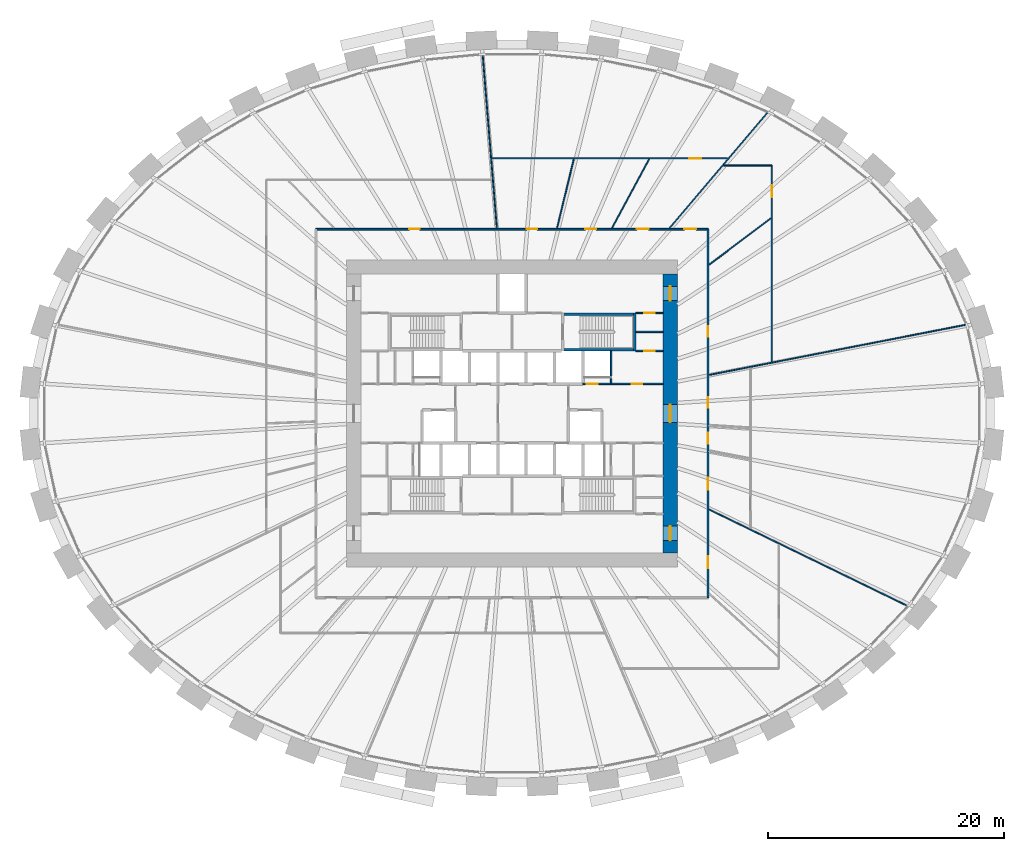
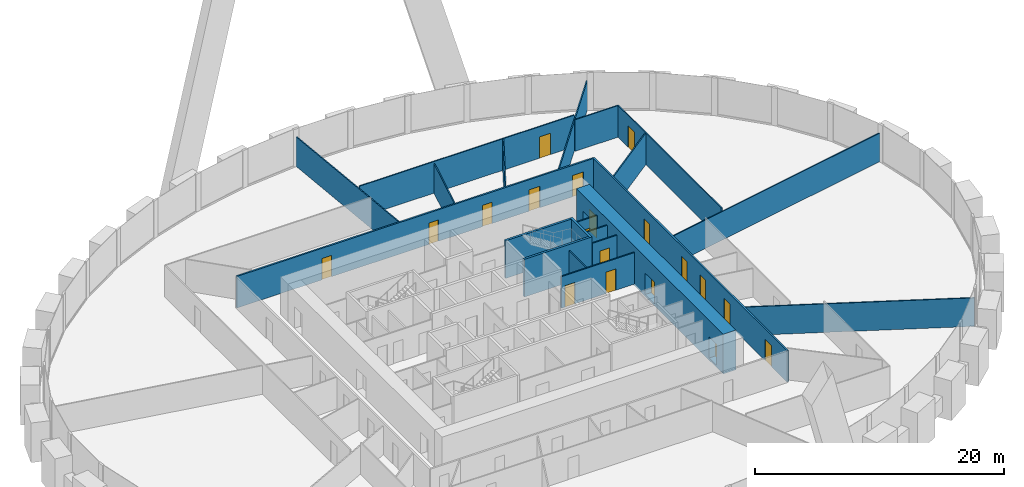
# One storey, part 9 of 11: 21 walls, 19 doors, 19 openings.
"""IFC4 building model written with IfcOpenShell, lengths in metres."""

from ifc_helpers import new_model, si_unit, direction, frame, frame_2d, origin, place, context, subcontext, project, spatial, rectangle, extrude, source, transform, mapped, material, layer, layer_set, type_object, element, fill, save


model = new_model("IFC4")

# Units and contexts
model_context = context("Model", 3, precision=1e-05, world=origin(), true_north=direction((0.0, 1.0)))
body_context = subcontext(model_context, "Body", "Model", "MODEL_VIEW")
ifc_project = project(units=[si_unit("LENGTHUNIT", "METRE"), si_unit("AREAUNIT", "SQUARE_METRE"), si_unit("VOLUMEUNIT", "CUBIC_METRE"), si_unit("PLANEANGLEUNIT", "RADIAN"), si_unit("MASSUNIT", "GRAM", prefix="KILO")], contexts=[model_context])

# Site, building, storey
site_placement = place(None, origin())
site = spatial("IfcSite", under=ifc_project, at=site_placement, CompositionType="ELEMENT")
building_placement = place(site_placement, origin())
building = spatial("IfcBuilding", under=site, at=building_placement, Name="Embergate Tower", CompositionType="ELEMENT")
storey_placement = place(building_placement, frame((0.0, 0.0, 73.699951171875)))
storey = spatial("IfcBuildingStorey", under=building, at=storey_placement, Name="L14", CompositionType="ELEMENT", Elevation=73.699951171875)

# Wall, openings, doors
ifc_material_1 = material(Name="Concrete C80", Category="concrete")
ifc_layer_1 = layer(ifc_material_1, 1.199951171875)
ifc_layer_set_1 = layer_set([ifc_layer_1], Name="Concrete C80")
wall_type_1 = type_object("IfcWallType", Name="Core outer wall C80 1200", PredefinedType="SHEAR", material=ifc_layer_set_1)
shared_shape_1 = source(origin(), body_context, "Body", "SweptSolid", [
    extrude(rectangle(XDim=23.60009765625, YDim=1.199951171875, at=frame_2d((11.800048828125, 0.0))), origin(), (0.0, 0.0, 1.0), 3.89990234375),
])
wall_1_placement = place(storey_placement, frame((13.39990234375, -11.800048828125, -0.199951171875), z_axis=(0.0, 0.0, 1.0), x_axis=(0.0, 1.0, 0.0)))
wall_1 = element("IfcWall", 1, at=wall_1_placement, inside=storey, type_object=wall_type_1, Name="CW-L14-E", PredefinedType="SHEAR", context=body_context, shape_type="MappedRepresentation", body=[
    mapped(shared_shape_1, transform((0.0, 0.0, 0.0))),
])
shared_shape_2 = source(origin(), body_context, "Body", "SweptSolid", [
    extrude(rectangle(XDim=1.199951171875, YDim=2.10009765625, at=frame_2d((0.60009765625, 1.050048828125))), frame((0.0, 0.60986328125, 0.0), z_axis=(0.0, -1.0, 0.0), x_axis=(1.0, 0.0, 0.0)), (0.0, 0.0, 1.0), 1.219970703125),
])
opening_1_placement = place(wall_1_placement, frame((21.35009765625, 0.0, 0.199951171875)))
opening_1 = element("IfcOpeningElement", 2, at=opening_1_placement, cuts=wall_1, Name="Opening IF-1", PredefinedType="OPENING", context=body_context, shape_type="MappedRepresentation", body=[
    mapped(shared_shape_2, transform((0.0, 0.0, 0.0))),
])
opening_2_placement = place(wall_1_placement, frame((1.050048828125, 0.0, 0.199951171875)))
opening_2 = element("IfcOpeningElement", 3, at=opening_2_placement, cuts=wall_1, Name="Opening IF-1", PredefinedType="OPENING", context=body_context, shape_type="MappedRepresentation", body=[
    mapped(shared_shape_2, transform((0.0, 0.0, 0.0))),
])
shared_shape_3 = source(origin(), body_context, "Body", "SweptSolid", [
    extrude(rectangle(XDim=1.5, YDim=2.10009765625, at=frame_2d((0.75, 1.050048828125))), frame((0.0, 0.60986328125, 0.0), z_axis=(0.0, -1.0, 0.0), x_axis=(1.0, 0.0, 0.0)), (0.0, 0.0, 1.0), 1.219970703125),
])
opening_3_placement = place(wall_1_placement, frame((11.050048828125, 0.0, 0.199951171875)))
opening_3 = element("IfcOpeningElement", 4, at=opening_3_placement, cuts=wall_1, Name="Opening IF-3", PredefinedType="OPENING", context=body_context, shape_type="MappedRepresentation", body=[
    mapped(shared_shape_3, transform((0.0, 0.0, 0.0))),
])
ifc_material_2 = material(Name="Escape fire door 1200")
door_type_1 = type_object("IfcDoorType", Name="Escape fire door 1200", OperationType="SINGLE_SWING_LEFT", PredefinedType="DOOR", material=ifc_material_2)
shared_shape_4 = source(origin(), body_context, "Body", "SweptSolid", [
    extrude(rectangle(XDim=1.199951171875, YDim=2.10009765625, at=frame_2d((0.60009765625, 1.050048828125))), frame((0.0, 0.02490234375, 0.0), z_axis=(0.0, -1.0, 0.0), x_axis=(1.0, 0.0, 0.0)), (0.0, 0.0, 1.0), 0.050048828125),
])
door_1_placement = place(opening_1_placement, origin())
door_1 = element("IfcDoor", 5, at=door_1_placement, inside=storey, type_object=door_type_1, Name="IF-1 door", OperationType="SINGLE_SWING_LEFT", OverallHeight=2.10009765625, OverallWidth=1.199951171875, PredefinedType="DOOR", context=body_context, shape_type="MappedRepresentation", body=[
    mapped(shared_shape_4, transform((0.0, 0.0, 0.0))),
])
fill(opening_1, door_1)
door_2_placement = place(opening_2_placement, origin())
door_2 = element("IfcDoor", 6, at=door_2_placement, inside=storey, type_object=door_type_1, Name="IF-1 door", OperationType="SINGLE_SWING_LEFT", OverallHeight=2.10009765625, OverallWidth=1.199951171875, PredefinedType="DOOR", context=body_context, shape_type="MappedRepresentation", body=[
    mapped(shared_shape_4, transform((0.0, 0.0, 0.0))),
])
fill(opening_2, door_2)
ifc_material_3 = material(Name="Lobby fire door pair 1500")
door_type_2 = type_object("IfcDoorType", Name="Lobby fire door pair 1500", OperationType="DOUBLE_DOOR_SINGLE_SWING", PredefinedType="DOOR", material=ifc_material_3)
shared_shape_5 = source(origin(), body_context, "Body", "SweptSolid", [
    extrude(rectangle(XDim=1.5, YDim=2.10009765625, at=frame_2d((0.75, 1.050048828125))), frame((0.0, 0.02490234375, 0.0), z_axis=(0.0, -1.0, 0.0), x_axis=(1.0, 0.0, 0.0)), (0.0, 0.0, 1.0), 0.050048828125),
])
door_3_placement = place(opening_3_placement, origin())
door_3 = element("IfcDoor", 7, at=door_3_placement, inside=storey, type_object=door_type_2, Name="IF-3 door", OperationType="DOUBLE_DOOR_SINGLE_SWING", OverallHeight=2.10009765625, OverallWidth=1.5, PredefinedType="DOOR", context=body_context, shape_type="MappedRepresentation", body=[
    mapped(shared_shape_5, transform((0.0, 0.0, 0.0))),
])
fill(opening_3, door_3)

ifc_material_4 = material(Name="Core partition blockwork 120")
ifc_layer_2 = layer(ifc_material_4, 0.1201171875)
ifc_layer_set_2 = layer_set([ifc_layer_2], Name="Core partition blockwork 120")
wall_type_2 = type_object("IfcWallType", Name="Core partition blockwork 120", PredefinedType="PARTITIONING", material=ifc_layer_set_2)
shared_shape_6 = source(origin(), body_context, "Body", "SweptSolid", [
    extrude(rectangle(XDim=6.800048828125, YDim=0.1201171875, at=frame_2d((3.39990234375, 0.0))), origin(), (0.0, 0.0, 1.0), 3.10009765625),
])
wall_2_placement = place(storey_placement, frame((6.0, 2.5, 0.0), z_axis=(0.0, 0.0, 1.0), x_axis=(1.0, 0.0, 0.0)))
wall_2 = element("IfcWall", 8, at=wall_2_placement, inside=storey, type_object=wall_type_2, Name="IP-3 wall", PredefinedType="PARTITIONING", context=body_context, shape_type="MappedRepresentation", body=[
    mapped(shared_shape_6, transform((0.0, 0.0, 0.0))),
])
shared_shape_7 = source(origin(), body_context, "Body", "SweptSolid", [
    extrude(rectangle(XDim=0.89990234375, YDim=2.10009765625, at=frame_2d((0.449951171875, 1.050048828125))), frame((0.0, 0.070068359375, 0.0), z_axis=(0.0, -1.0, 0.0), x_axis=(1.0, 0.0, 0.0)), (0.0, 0.0, 1.0), 0.14013671875),
])
opening_4_placement = place(wall_2_placement, frame((0.35009765625, 0.0, 0.0)))
opening_4 = element("IfcOpeningElement", 9, at=opening_4_placement, cuts=wall_2, Name="Opening ID-1", PredefinedType="OPENING", context=body_context, shape_type="MappedRepresentation", body=[
    mapped(shared_shape_7, transform((0.0, 0.0, 0.0))),
])
opening_5_placement = place(wall_2_placement, frame((4.14990234375, 0.0, 0.0)))
opening_5 = element("IfcOpeningElement", 10, at=opening_5_placement, cuts=wall_2, Name="Opening ID-1", PredefinedType="OPENING", context=body_context, shape_type="MappedRepresentation", body=[
    mapped(shared_shape_7, transform((0.0, 0.0, 0.0))),
])
ifc_material_5 = material(Name="Interior door 900")
door_type_3 = type_object("IfcDoorType", Name="Interior door 900", OperationType="SINGLE_SWING_LEFT", PredefinedType="DOOR", material=ifc_material_5)
shared_shape_8 = source(origin(), body_context, "Body", "SweptSolid", [
    extrude(rectangle(XDim=0.89990234375, YDim=2.10009765625, at=frame_2d((0.449951171875, 1.050048828125))), frame((0.0, 0.02490234375, 0.0), z_axis=(0.0, -1.0, 0.0), x_axis=(1.0, 0.0, 0.0)), (0.0, 0.0, 1.0), 0.050048828125),
])
door_4_placement = place(opening_4_placement, origin())
door_4 = element("IfcDoor", 11, at=door_4_placement, inside=storey, type_object=door_type_3, Name="ID-1 door", OperationType="SINGLE_SWING_LEFT", OverallHeight=2.10009765625, OverallWidth=0.89990234375, PredefinedType="DOOR", context=body_context, shape_type="MappedRepresentation", body=[
    mapped(shared_shape_8, transform((0.0, 0.0, 0.0))),
])
fill(opening_4, door_4)
door_5_placement = place(opening_5_placement, origin())
door_5 = element("IfcDoor", 12, at=door_5_placement, inside=storey, type_object=door_type_3, Name="ID-1 door", OperationType="SINGLE_SWING_RIGHT", OverallHeight=2.10009765625, OverallWidth=0.89990234375, PredefinedType="DOOR", context=body_context, shape_type="MappedRepresentation", body=[
    mapped(shared_shape_8, transform((0.0, 0.0, 0.0))),
])
fill(opening_5, door_5)

# Walls
ifc_material_6 = material(Name="Concrete C50", Category="concrete")
ifc_layer_3 = layer(ifc_material_6, 0.199951171875)
ifc_layer_set_3 = layer_set([ifc_layer_3], Name="Concrete C50")
wall_type_3 = type_object("IfcWallType", Name="Stair enclosure wall reinforced concrete 250", PredefinedType="SHEAR", material=ifc_layer_set_3)
shared_shape_9 = source(origin(), body_context, "Body", "SweptSolid", [
    extrude(rectangle(XDim=6.300048828125, YDim=0.199951171875, at=frame_2d((3.14990234375, 0.0))), origin(), (0.0, 0.0, 1.0), 3.699951171875),
])
for number, where, z_axis, x_axis, name in (
    (13, (10.5, 5.39990234375, 0.0), (0.0, 0.0, 1.0), (-1.0, 0.0, 0.0), "SE-1 wall"),
    (14, (10.5, 8.39990234375, 0.0), (0.0, 0.0, 1.0), (-1.0, 0.0, 0.0), "SE-1 wall"),
):
    element("IfcWall", number, at=place(storey_placement, frame(where, z_axis=z_axis, x_axis=x_axis)), inside=storey, type_object=wall_type_3, Name=name, PredefinedType="SHEAR", context=body_context, shape_type="MappedRepresentation", body=[
        mapped(shared_shape_9, transform((0.0, 0.0, 0.0))),
    ])
shared_shape_10 = source(origin(), body_context, "Body", "SweptSolid", [
    extrude(rectangle(XDim=2.739990234375, YDim=0.1201171875, at=frame_2d((1.3701171875, 0.0))), origin(), (0.0, 0.0, 1.0), 3.10009765625),
])
wall_3_placement = place(storey_placement, frame((8.39990234375, 2.56005859375, 0.0), z_axis=(0.0, 0.0, 1.0), x_axis=(0.0, 1.0, 0.0)))
element("IfcWall", 15, at=wall_3_placement, inside=storey, type_object=wall_type_2, Name="IP-3 wall", PredefinedType="PARTITIONING", context=body_context, shape_type="MappedRepresentation", body=[
    mapped(shared_shape_10, transform((0.0, 0.0, 0.0))),
])
shared_shape_11 = source(origin(), body_context, "Body", "SweptSolid", [
    extrude(rectangle(XDim=3.199951171875, YDim=0.199951171875, at=frame_2d((1.60009765625, 0.0))), origin(), (0.0, 0.0, 1.0), 3.699951171875),
])
wall_4_placement = place(storey_placement, frame((10.39990234375, 5.300048828125, 0.0), z_axis=(0.0, 0.0, 1.0), x_axis=(0.0, 1.0, 0.0)))
element("IfcWall", 16, at=wall_4_placement, inside=storey, type_object=wall_type_3, Name="SE-1 wall", PredefinedType="SHEAR", context=body_context, shape_type="MappedRepresentation", body=[
    mapped(shared_shape_11, transform((0.0, 0.0, 0.0))),
])

# Wall, opening, door
shared_shape_12 = source(origin(), body_context, "Body", "SweptSolid", [
    extrude(rectangle(XDim=2.300048828125, YDim=0.1201171875, at=frame_2d((1.14990234375, 0.0))), origin(), (0.0, 0.0, 1.0), 3.10009765625),
])
wall_5_placement = place(storey_placement, frame((10.5, 8.5, 0.0), z_axis=(0.0, 0.0, 1.0), x_axis=(1.0, 0.0, 0.0)))
wall_5 = element("IfcWall", 17, at=wall_5_placement, inside=storey, type_object=wall_type_2, Name="IP-3 wall", PredefinedType="PARTITIONING", context=body_context, shape_type="MappedRepresentation", body=[
    mapped(shared_shape_12, transform((0.0, 0.0, 0.0))),
])
opening_6_placement = place(wall_5_placement, frame((0.699951171875, 0.0, 0.0)))
opening_6 = element("IfcOpeningElement", 18, at=opening_6_placement, cuts=wall_5, Name="Opening ID-1", PredefinedType="OPENING", context=body_context, shape_type="MappedRepresentation", body=[
    mapped(shared_shape_7, transform((0.0, 0.0, 0.0))),
])
door_6_placement = place(opening_6_placement, origin())
door_6 = element("IfcDoor", 19, at=door_6_placement, inside=storey, type_object=door_type_3, Name="ID-1 door", OperationType="SINGLE_SWING_LEFT", OverallHeight=2.10009765625, OverallWidth=0.89990234375, PredefinedType="DOOR", context=body_context, shape_type="MappedRepresentation", body=[
    mapped(shared_shape_8, transform((0.0, 0.0, 0.0))),
])
fill(opening_6, door_6)

wall_6_placement = place(storey_placement, frame((12.800048828125, 5.300048828125, 0.0), z_axis=(0.0, 0.0, 1.0), x_axis=(-1.0, 0.0, 0.0)))
wall_6 = element("IfcWall", 20, at=wall_6_placement, inside=storey, type_object=wall_type_2, Name="IP-3 wall", PredefinedType="PARTITIONING", context=body_context, shape_type="MappedRepresentation", body=[
    mapped(shared_shape_12, transform((0.0, 0.0, 0.0))),
])
opening_7_placement = place(wall_6_placement, frame((0.699951171875, 0.0, 0.0)))
opening_7 = element("IfcOpeningElement", 21, at=opening_7_placement, cuts=wall_6, Name="Opening ID-1", PredefinedType="OPENING", context=body_context, shape_type="MappedRepresentation", body=[
    mapped(shared_shape_7, transform((0.0, 0.0, 0.0))),
])
door_7_placement = place(opening_7_placement, origin())
door_7 = element("IfcDoor", 22, at=door_7_placement, inside=storey, type_object=door_type_3, Name="ID-1 door", OperationType="SINGLE_SWING_RIGHT", OverallHeight=2.10009765625, OverallWidth=0.89990234375, PredefinedType="DOOR", context=body_context, shape_type="MappedRepresentation", body=[
    mapped(shared_shape_8, transform((0.0, 0.0, 0.0))),
])
fill(opening_7, door_7)

# Walls
wall_7_placement = place(storey_placement, frame((12.800048828125, 6.89990234375, 0.0), z_axis=(0.0, 0.0, 1.0), x_axis=(-1.0, 0.0, 0.0)))
element("IfcWall", 23, at=wall_7_placement, inside=storey, type_object=wall_type_2, Name="IP-3 wall", PredefinedType="PARTITIONING", context=body_context, shape_type="MappedRepresentation", body=[
    mapped(shared_shape_12, transform((0.0, 0.0, 0.0))),
])
ifc_material_7 = material(Name="Partition dry-lined 100")
ifc_layer_4 = layer(ifc_material_7, 0.10009765625)
ifc_layer_set_4 = layer_set([ifc_layer_4], Name="Partition dry-lined 100")
wall_type_4 = type_object("IfcWallType", Name="Partition dry-lined 100", PredefinedType="PARTITIONING", material=ifc_layer_set_4)
shared_shape_13 = source(origin(), body_context, "Body", "SweptSolid", [
    extrude(rectangle(XDim=18.715087890625, YDim=0.10009765625, at=frame_2d((9.357421875, 0.0))), origin(), (0.0, 0.0, 1.0), 2.800048828125),
])
wall_8_placement = place(storey_placement, frame((33.52392578125, -16.321044921875, 0.0), z_axis=(0.0, 0.0, 1.0), x_axis=(-0.899107311698, 0.437728274219, 0.0)))
element("IfcWall", 24, at=wall_8_placement, inside=storey, type_object=wall_type_4, Name="IP-1 wall", PredefinedType="PARTITIONING", context=body_context, shape_type="MappedRepresentation", body=[
    mapped(shared_shape_13, transform((0.0, 0.0, 0.0))),
])
shared_shape_14 = source(origin(), body_context, "Body", "SweptSolid", [
    extrude(rectangle(XDim=22.212158203125, YDim=0.10009765625, at=frame_2d((11.10595703125, 0.0))), origin(), (0.0, 0.0, 1.0), 2.800048828125),
])
wall_9_placement = place(storey_placement, frame((38.485107421875, 7.51904296875, 0.0), z_axis=(0.0, 0.0, 1.0), x_axis=(-0.981445163178, -0.191743035531, 0.0)))
element("IfcWall", 25, at=wall_9_placement, inside=storey, type_object=wall_type_4, Name="IP-1 wall", PredefinedType="PARTITIONING", context=body_context, shape_type="MappedRepresentation", body=[
    mapped(shared_shape_14, transform((0.0, 0.0, 0.0))),
])

# Wall, openings, doors
ifc_material_8 = material(Name="Corridor wall dry-lined 150")
ifc_layer_5 = layer(ifc_material_8, 0.14990234375)
ifc_layer_set_5 = layer_set([ifc_layer_5], Name="Corridor wall dry-lined 150")
wall_type_5 = type_object("IfcWallType", Name="Corridor wall dry-lined 150", PredefinedType="PARTITIONING", material=ifc_layer_set_5)
shared_shape_15 = source(origin(), body_context, "Body", "SweptSolid", [
    extrude(rectangle(XDim=31.2001953125, YDim=0.14990234375, at=frame_2d((15.60009765625, 0.0))), origin(), (0.0, 0.0, 1.0), 3.10009765625),
])
wall_10_placement = place(storey_placement, frame((16.60009765625, 15.60009765625, 0.0), z_axis=(0.0, 0.0, 1.0), x_axis=(0.0, -1.0, 0.0)))
wall_10 = element("IfcWall", 26, at=wall_10_placement, inside=storey, type_object=wall_type_5, Name="IP-2 wall", PredefinedType="PARTITIONING", context=body_context, shape_type="MappedRepresentation", body=[
    mapped(shared_shape_15, transform((0.0, 0.0, 0.0))),
])
shared_shape_16 = source(origin(), body_context, "Body", "SweptSolid", [
    extrude(rectangle(XDim=1.0, YDim=2.10009765625, at=frame_2d((0.5, 1.050048828125))), frame((0.0, 0.0849609375, 0.0), z_axis=(0.0, -1.0, 0.0), x_axis=(1.0, 0.0, 0.0)), (0.0, 0.0, 1.0), 0.169921875),
])
opening_8_placement = place(wall_10_placement, frame((27.712890625, 0.0, 0.0)))
opening_8 = element("IfcOpeningElement", 27, at=opening_8_placement, cuts=wall_10, Name="Opening ID-2", PredefinedType="OPENING", context=body_context, shape_type="MappedRepresentation", body=[
    mapped(shared_shape_16, transform((0.0, 0.0, 0.0))),
])
opening_9_placement = place(wall_10_placement, frame((21.06201171875, 0.0, 0.0)))
opening_9 = element("IfcOpeningElement", 28, at=opening_9_placement, cuts=wall_10, Name="Opening ID-2", PredefinedType="OPENING", context=body_context, shape_type="MappedRepresentation", body=[
    mapped(shared_shape_16, transform((0.0, 0.0, 0.0))),
])
shared_shape_17 = source(origin(), body_context, "Body", "SweptSolid", [
    extrude(rectangle(XDim=0.89990234375, YDim=2.10009765625, at=frame_2d((0.449951171875, 1.050048828125))), frame((0.0, 0.0849609375, 0.0), z_axis=(0.0, -1.0, 0.0), x_axis=(1.0, 0.0, 0.0)), (0.0, 0.0, 1.0), 0.169921875),
])
opening_10_placement = place(wall_10_placement, frame((17.2490234375, 0.0, 0.0)))
opening_10 = element("IfcOpeningElement", 29, at=opening_10_placement, cuts=wall_10, Name="Opening IF-1c", PredefinedType="OPENING", context=body_context, shape_type="MappedRepresentation", body=[
    mapped(shared_shape_17, transform((0.0, 0.0, 0.0))),
])
opening_11_placement = place(wall_10_placement, frame((14.237060546875, 0.0, 0.0)))
opening_11 = element("IfcOpeningElement", 30, at=opening_11_placement, cuts=wall_10, Name="Opening IF-1c", PredefinedType="OPENING", context=body_context, shape_type="MappedRepresentation", body=[
    mapped(shared_shape_17, transform((0.0, 0.0, 0.0))),
])
opening_12_placement = place(wall_10_placement, frame((8.201904296875, 0.0, 0.0)))
opening_12 = element("IfcOpeningElement", 31, at=opening_12_placement, cuts=wall_10, Name="Opening IF-1c", PredefinedType="OPENING", context=body_context, shape_type="MappedRepresentation", body=[
    mapped(shared_shape_17, transform((0.0, 0.0, 0.0))),
])
ifc_material_9 = material(Name="Escape fire door 900")
door_type_4 = type_object("IfcDoorType", Name="Escape fire door 900", OperationType="SINGLE_SWING_LEFT", PredefinedType="DOOR", material=ifc_material_9)
door_8_placement = place(opening_10_placement, origin())
door_8 = element("IfcDoor", 32, at=door_8_placement, inside=storey, type_object=door_type_4, Name="IF-1 door", OperationType="SINGLE_SWING_LEFT", OverallHeight=2.10009765625, OverallWidth=0.89990234375, PredefinedType="DOOR", context=body_context, shape_type="MappedRepresentation", body=[
    mapped(shared_shape_8, transform((0.0, 0.0, 0.0))),
])
fill(opening_10, door_8)
door_9_placement = place(opening_11_placement, origin())
door_9 = element("IfcDoor", 33, at=door_9_placement, inside=storey, type_object=door_type_4, Name="IF-1 door", OperationType="SINGLE_SWING_LEFT", OverallHeight=2.10009765625, OverallWidth=0.89990234375, PredefinedType="DOOR", context=body_context, shape_type="MappedRepresentation", body=[
    mapped(shared_shape_8, transform((0.0, 0.0, 0.0))),
])
fill(opening_11, door_9)
door_10_placement = place(opening_12_placement, origin())
door_10 = element("IfcDoor", 34, at=door_10_placement, inside=storey, type_object=door_type_4, Name="IF-1 door", OperationType="SINGLE_SWING_LEFT", OverallHeight=2.10009765625, OverallWidth=0.89990234375, PredefinedType="DOOR", context=body_context, shape_type="MappedRepresentation", body=[
    mapped(shared_shape_8, transform((0.0, 0.0, 0.0))),
])
fill(opening_12, door_10)
ifc_material_10 = material(Name="Interior door 1000")
door_type_5 = type_object("IfcDoorType", Name="Interior door 1000", OperationType="SINGLE_SWING_LEFT", PredefinedType="DOOR", material=ifc_material_10)
shared_shape_18 = source(origin(), body_context, "Body", "SweptSolid", [
    extrude(rectangle(XDim=1.0, YDim=2.10009765625, at=frame_2d((0.5, 1.050048828125))), frame((0.0, 0.02490234375, 0.0), z_axis=(0.0, -1.0, 0.0), x_axis=(1.0, 0.0, 0.0)), (0.0, 0.0, 1.0), 0.050048828125),
])
door_11_placement = place(opening_8_placement, origin())
door_11 = element("IfcDoor", 35, at=door_11_placement, inside=storey, type_object=door_type_5, Name="ID-2 door", OperationType="SINGLE_SWING_LEFT", OverallHeight=2.10009765625, OverallWidth=1.0, PredefinedType="DOOR", context=body_context, shape_type="MappedRepresentation", body=[
    mapped(shared_shape_18, transform((0.0, 0.0, 0.0))),
])
fill(opening_8, door_11)
door_12_placement = place(opening_9_placement, origin())
door_12 = element("IfcDoor", 36, at=door_12_placement, inside=storey, type_object=door_type_5, Name="ID-2 door", OperationType="SINGLE_SWING_RIGHT", OverallHeight=2.10009765625, OverallWidth=1.0, PredefinedType="DOOR", context=body_context, shape_type="MappedRepresentation", body=[
    mapped(shared_shape_18, transform((0.0, 0.0, 0.0))),
])
fill(opening_9, door_12)

shared_shape_19 = source(origin(), body_context, "Body", "SweptSolid", [
    extrude(rectangle(XDim=33.2001953125, YDim=0.14990234375, at=frame_2d((16.60009765625, 0.0))), origin(), (0.0, 0.0, 1.0), 3.10009765625),
])
wall_11_placement = place(storey_placement, frame((-16.60009765625, 15.60009765625, 0.0), z_axis=(0.0, 0.0, 1.0), x_axis=(1.0, 0.0, 0.0)))
wall_11 = element("IfcWall", 37, at=wall_11_placement, inside=storey, type_object=wall_type_5, Name="IP-2 wall", PredefinedType="PARTITIONING", context=body_context, shape_type="MappedRepresentation", body=[
    mapped(shared_shape_19, transform((0.0, 0.0, 0.0))),
])
opening_13_placement = place(wall_11_placement, frame((31.200927734375, 0.0, 0.0)))
opening_13 = element("IfcOpeningElement", 38, at=opening_13_placement, cuts=wall_11, Name="Opening ID-2", PredefinedType="OPENING", context=body_context, shape_type="MappedRepresentation", body=[
    mapped(shared_shape_16, transform((0.0, 0.0, 0.0))),
])
opening_14_placement = place(wall_11_placement, frame((27.162109375, 0.0, 0.0)))
opening_14 = element("IfcOpeningElement", 39, at=opening_14_placement, cuts=wall_11, Name="Opening ID-2", PredefinedType="OPENING", context=body_context, shape_type="MappedRepresentation", body=[
    mapped(shared_shape_16, transform((0.0, 0.0, 0.0))),
])
opening_15_placement = place(wall_11_placement, frame((22.818115234375, 0.0, 0.0)))
opening_15 = element("IfcOpeningElement", 40, at=opening_15_placement, cuts=wall_11, Name="Opening IF-1c", PredefinedType="OPENING", context=body_context, shape_type="MappedRepresentation", body=[
    mapped(shared_shape_17, transform((0.0, 0.0, 0.0))),
])
opening_16_placement = place(wall_11_placement, frame((17.8359375, 0.0, 0.0)))
opening_16 = element("IfcOpeningElement", 41, at=opening_16_placement, cuts=wall_11, Name="Opening IF-1c", PredefinedType="OPENING", context=body_context, shape_type="MappedRepresentation", body=[
    mapped(shared_shape_17, transform((0.0, 0.0, 0.0))),
])
opening_17_placement = place(wall_11_placement, frame((7.90087890625, 0.0, 0.0)))
opening_17 = element("IfcOpeningElement", 42, at=opening_17_placement, cuts=wall_11, Name="Opening IF-1c", PredefinedType="OPENING", context=body_context, shape_type="MappedRepresentation", body=[
    mapped(shared_shape_17, transform((0.0, 0.0, 0.0))),
])
door_13_placement = place(opening_15_placement, origin())
door_13 = element("IfcDoor", 43, at=door_13_placement, inside=storey, type_object=door_type_4, Name="IF-1 door", OperationType="SINGLE_SWING_RIGHT", OverallHeight=2.10009765625, OverallWidth=0.89990234375, PredefinedType="DOOR", context=body_context, shape_type="MappedRepresentation", body=[
    mapped(shared_shape_8, transform((0.0, 0.0, 0.0))),
])
fill(opening_15, door_13)
door_14_placement = place(opening_16_placement, origin())
door_14 = element("IfcDoor", 44, at=door_14_placement, inside=storey, type_object=door_type_4, Name="IF-1 door", OperationType="SINGLE_SWING_LEFT", OverallHeight=2.10009765625, OverallWidth=0.89990234375, PredefinedType="DOOR", context=body_context, shape_type="MappedRepresentation", body=[
    mapped(shared_shape_8, transform((0.0, 0.0, 0.0))),
])
fill(opening_16, door_14)
door_15_placement = place(opening_17_placement, origin())
door_15 = element("IfcDoor", 45, at=door_15_placement, inside=storey, type_object=door_type_4, Name="IF-1 door", OperationType="SINGLE_SWING_RIGHT", OverallHeight=2.10009765625, OverallWidth=0.89990234375, PredefinedType="DOOR", context=body_context, shape_type="MappedRepresentation", body=[
    mapped(shared_shape_8, transform((0.0, 0.0, 0.0))),
])
fill(opening_17, door_15)
door_16_placement = place(opening_13_placement, origin())
door_16 = element("IfcDoor", 46, at=door_16_placement, inside=storey, type_object=door_type_5, Name="ID-2 door", OperationType="SINGLE_SWING_RIGHT", OverallHeight=2.10009765625, OverallWidth=1.0, PredefinedType="DOOR", context=body_context, shape_type="MappedRepresentation", body=[
    mapped(shared_shape_18, transform((0.0, 0.0, 0.0))),
])
fill(opening_13, door_16)
door_17_placement = place(opening_14_placement, origin())
door_17 = element("IfcDoor", 47, at=door_17_placement, inside=storey, type_object=door_type_5, Name="ID-2 door", OperationType="SINGLE_SWING_RIGHT", OverallHeight=2.10009765625, OverallWidth=1.0, PredefinedType="DOOR", context=body_context, shape_type="MappedRepresentation", body=[
    mapped(shared_shape_18, transform((0.0, 0.0, 0.0))),
])
fill(opening_14, door_17)

# Wall
shared_shape_20 = source(origin(), body_context, "Body", "SweptSolid", [
    extrude(rectangle(XDim=6.53173828125, YDim=0.10009765625, at=frame_2d((3.265869140625, 0.0))), origin(), (0.0, 0.0, 1.0), 3.10009765625),
])
wall_12_placement = place(storey_placement, frame((16.705078125, 12.597900390625, 0.0), z_axis=(0.0, 0.0, 1.0), x_axis=(0.798382397051, 0.602150768562, 0.0)))
element("IfcWall", 48, at=wall_12_placement, inside=storey, type_object=wall_type_4, Name="IP-1 wall", PredefinedType="PARTITIONING", context=body_context, shape_type="MappedRepresentation", body=[
    mapped(shared_shape_20, transform((0.0, 0.0, 0.0))),
])

# Wall, opening, door
shared_shape_21 = source(origin(), body_context, "Body", "SweptSolid", [
    extrude(rectangle(XDim=16.64111328125, YDim=0.10009765625, at=frame_2d((8.320556640625, 0.0))), origin(), (0.0, 0.0, 1.0), 3.10009765625),
])
wall_13_placement = place(storey_placement, frame((22.0, 21.0, 0.0), z_axis=(0.0, 0.0, 1.0), x_axis=(0.0, -1.0, 0.0)))
wall_13 = element("IfcWall", 49, at=wall_13_placement, inside=storey, type_object=wall_type_4, Name="IP-1 wall", PredefinedType="PARTITIONING", context=body_context, shape_type="MappedRepresentation", body=[
    mapped(shared_shape_21, transform((0.0, 0.0, 0.0))),
])
shared_shape_22 = source(origin(), body_context, "Body", "SweptSolid", [
    extrude(rectangle(XDim=1.0, YDim=2.10009765625, at=frame_2d((0.5, 1.050048828125))), frame((0.0, 0.06005859375, 0.0), z_axis=(0.0, -1.0, 0.0), x_axis=(1.0, 0.0, 0.0)), (0.0, 0.0, 1.0), 0.1201171875),
])
opening_18_placement = place(wall_13_placement, frame((1.676025390625, 0.0, 0.0)))
opening_18 = element("IfcOpeningElement", 50, at=opening_18_placement, cuts=wall_13, Name="Opening ID-2", PredefinedType="OPENING", context=body_context, shape_type="MappedRepresentation", body=[
    mapped(shared_shape_22, transform((0.0, 0.0, 0.0))),
])
door_18_placement = place(opening_18_placement, origin())
door_18 = element("IfcDoor", 51, at=door_18_placement, inside=storey, type_object=door_type_5, Name="ID-2 door", OperationType="SINGLE_SWING_RIGHT", OverallHeight=2.10009765625, OverallWidth=1.0, PredefinedType="DOOR", context=body_context, shape_type="MappedRepresentation", body=[
    mapped(shared_shape_18, transform((0.0, 0.0, 0.0))),
])
fill(opening_18, door_18)

# Walls
shared_shape_23 = source(origin(), body_context, "Body", "SweptSolid", [
    extrude(rectangle(XDim=12.870849609375, YDim=0.10009765625, at=frame_2d((6.435546875, 0.0))), origin(), (0.0, 0.0, 1.0), 2.900146484375),
])
wall_14_placement = place(storey_placement, frame((13.344970703125, 15.70703125, 0.0), z_axis=(0.0, 0.0, 1.0), x_axis=(0.647435858612, 0.762119943962, 0.0)))
element("IfcWall", 52, at=wall_14_placement, inside=storey, type_object=wall_type_4, Name="IP-1 wall", PredefinedType="PARTITIONING", context=body_context, shape_type="MappedRepresentation", body=[
    mapped(shared_shape_23, transform((0.0, 0.0, 0.0))),
])
shared_shape_24 = source(origin(), body_context, "Body", "SweptSolid", [
    extrude(rectangle(XDim=4.050048828125, YDim=0.10009765625, at=frame_2d((2.02490234375, 0.0))), origin(), (0.0, 0.0, 1.0), 3.10009765625),
])
wall_15_placement = place(storey_placement, frame((17.949951171875, 21.0, 0.0), z_axis=(0.0, 0.0, 1.0), x_axis=(1.0, 0.0, 0.0)))
element("IfcWall", 53, at=wall_15_placement, inside=storey, type_object=wall_type_4, Name="IP-1 wall", PredefinedType="PARTITIONING", context=body_context, shape_type="MappedRepresentation", body=[
    mapped(shared_shape_24, transform((0.0, 0.0, 0.0))),
])
shared_shape_25 = source(origin(), body_context, "Body", "SweptSolid", [
    extrude(rectangle(XDim=6.62109375, YDim=0.10009765625, at=frame_2d((3.310546875, 0.0))), origin(), (0.0, 0.0, 1.0), 3.10009765625),
])
wall_16_placement = place(storey_placement, frame((8.471923828125, 15.698974609375, 0.0), z_axis=(0.0, 0.0, 1.0), x_axis=(0.474858262245, 0.88006228801, 0.0)))
element("IfcWall", 54, at=wall_16_placement, inside=storey, type_object=wall_type_4, Name="IP-1 wall", PredefinedType="PARTITIONING", context=body_context, shape_type="MappedRepresentation", body=[
    mapped(shared_shape_25, transform((0.0, 0.0, 0.0))),
])

# Wall, opening, door
shared_shape_26 = source(origin(), body_context, "Body", "SweptSolid", [
    extrude(rectangle(XDim=19.958984375, YDim=0.10009765625, at=frame_2d((9.9794921875, 0.0))), origin(), (0.0, 0.0, 1.0), 3.10009765625),
])
wall_17_placement = place(storey_placement, frame((-1.716064453125, 21.60009765625, 0.0), z_axis=(0.0, 0.0, 1.0), x_axis=(1.0, 0.0, 0.0)))
wall_17 = element("IfcWall", 55, at=wall_17_placement, inside=storey, type_object=wall_type_4, Name="IP-1 wall", PredefinedType="PARTITIONING", context=body_context, shape_type="MappedRepresentation", body=[
    mapped(shared_shape_26, transform((0.0, 0.0, 0.0))),
])
opening_19_placement = place(wall_17_placement, frame((16.7294921875, 0.0, 0.0)))
opening_19 = element("IfcOpeningElement", 56, at=opening_19_placement, cuts=wall_17, Name="Opening ID-2", PredefinedType="OPENING", context=body_context, shape_type="MappedRepresentation", body=[
    mapped(shared_shape_22, transform((0.0, 0.0, 0.0))),
])
door_19_placement = place(opening_19_placement, origin())
door_19 = element("IfcDoor", 57, at=door_19_placement, inside=storey, type_object=door_type_5, Name="ID-2 door", OperationType="SINGLE_SWING_LEFT", OverallHeight=2.10009765625, OverallWidth=1.0, PredefinedType="DOOR", context=body_context, shape_type="MappedRepresentation", body=[
    mapped(shared_shape_18, transform((0.0, 0.0, 0.0))),
])
fill(opening_19, door_19)

# Walls
shared_shape_27 = source(origin(), body_context, "Body", "SweptSolid", [
    extrude(rectangle(XDim=6.021240234375, YDim=0.10009765625, at=frame_2d((3.0107421875, 0.0))), origin(), (0.0, 0.0, 1.0), 2.900146484375),
])
wall_18_placement = place(storey_placement, frame((3.81201171875, 15.68701171875, 0.0), z_axis=(0.0, 0.0, 1.0), x_axis=(0.236138442635, 0.971719422421, 0.0)))
element("IfcWall", 58, at=wall_18_placement, inside=storey, type_object=wall_type_4, Name="IP-1 wall", PredefinedType="PARTITIONING", context=body_context, shape_type="MappedRepresentation", body=[
    mapped(shared_shape_27, transform((0.0, 0.0, 0.0))),
])
shared_shape_28 = source(origin(), body_context, "Body", "SweptSolid", [
    extrude(rectangle(XDim=14.77392578125, YDim=0.10009765625, at=frame_2d((7.386962890625, 0.0))), origin(), (0.0, 0.0, 1.0), 2.900146484375),
])
wall_19_placement = place(storey_placement, frame((-1.281982421875, 15.675048828125, 0.0), z_axis=(0.0, 0.0, 1.0), x_axis=(-0.081501373949, 0.996673229321, 0.0)))
element("IfcWall", 59, at=wall_19_placement, inside=storey, type_object=wall_type_4, Name="IP-1 wall", PredefinedType="PARTITIONING", context=body_context, shape_type="MappedRepresentation", body=[
    mapped(shared_shape_28, transform((0.0, 0.0, 0.0))),
])

save(model, "model.ifc")
